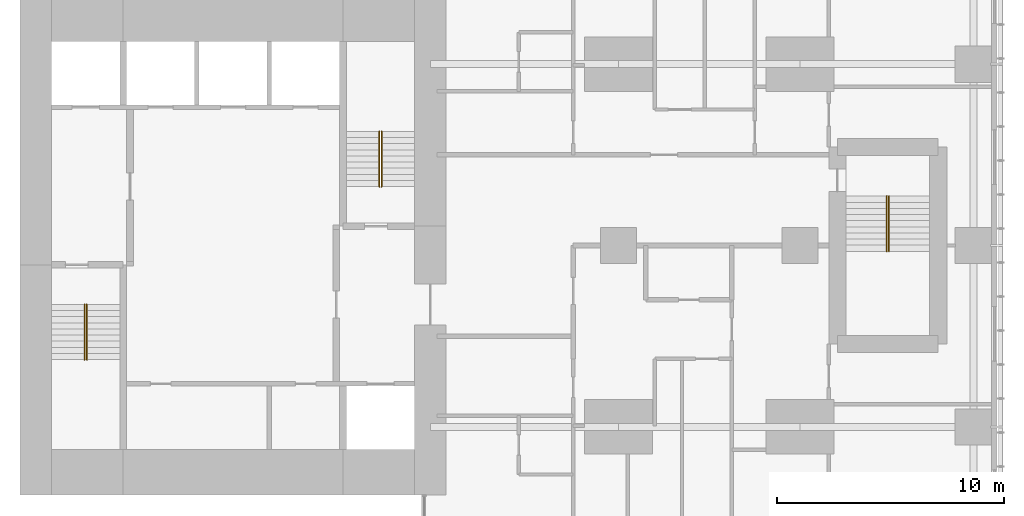
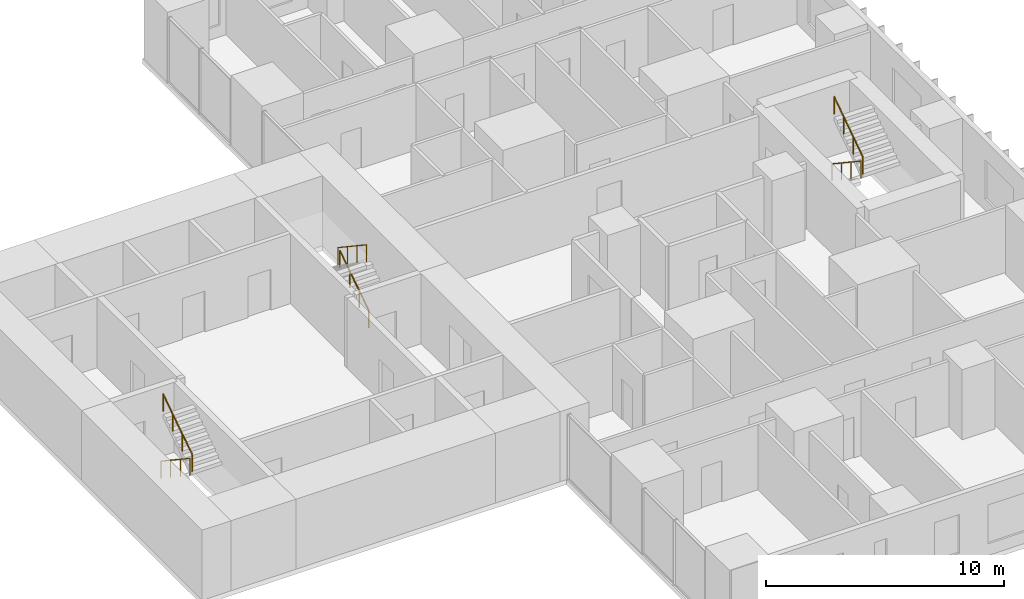
# One storey, part 12 of 12: 6 railings.
"""IFC4 building model written with IfcOpenShell, lengths in metres."""

from ifc_helpers import new_model, si_unit, direction, frame, origin, origin_2d, place, context, subcontext, project, spatial, circle, extrude, material, type_object, element, save


model = new_model("IFC4")

# Units and contexts
model_context = context("Model", 3, precision=1e-05, world=origin(), true_north=direction((0.0, 1.0)))
body_context = subcontext(model_context, "Body", "Model", "MODEL_VIEW")
ifc_project = project(units=[si_unit("LENGTHUNIT", "METRE"), si_unit("AREAUNIT", "SQUARE_METRE"), si_unit("VOLUMEUNIT", "CUBIC_METRE"), si_unit("PLANEANGLEUNIT", "RADIAN"), si_unit("MASSUNIT", "GRAM", prefix="KILO")], contexts=[model_context])

# Site, building, storey
site_placement = place(None, origin())
site = spatial("IfcSite", under=ifc_project, at=site_placement, CompositionType="ELEMENT")
building_placement = place(site_placement, origin())
building = spatial("IfcBuilding", under=site, at=building_placement, Name="Cleftline Residences", CompositionType="ELEMENT")
storey_placement = place(building_placement, frame((0.0, 0.0, 248.39990234375)))
storey = spatial("IfcBuildingStorey", under=building, at=storey_placement, Name="L65", CompositionType="ELEMENT", Elevation=248.39990234375)

# Railings
ifc_material = material(Name="Stainless steel", Category="steel")
railing_type = type_object("IfcRailingType", Name="HANDRAIL 900", PredefinedType="HANDRAIL", material=ifc_material)
railing_1_placement = place(storey_placement, frame((26.449951171875, 21.39990234375, 0.18017578125)))
element("IfcRailing", 1, at=railing_1_placement, inside=storey, type_object=railing_type, Name="Stair handrail", PredefinedType="HANDRAIL", context=body_context, shape_type="SweptSolid", body=[
    extrude(circle(Radius=0.02392578125, at=origin_2d()), frame((0.0, 0.0, 0.8759765625), z_axis=(0.0, -0.832063155534, 0.554680903946), x_axis=(1.0, 0.0, 0.0)), (0.0, 0.0, 1.0), 2.92041015625),
    extrude(circle(Radius=0.02099609375, at=origin_2d()), origin(), (0.0, 0.0, 1.0), 0.851806640625),
    extrude(circle(Radius=0.02099609375, at=origin_2d()), frame((0.0, -0.81005859375, 0.5400390625)), (0.0, 0.0, 1.0), 0.851806640625),
    extrude(circle(Radius=0.02099609375, at=origin_2d()), frame((0.0, -1.619873046875, 1.079833984375)), (0.0, 0.0, 1.0), 0.851806640625),
    extrude(circle(Radius=0.02099609375, at=origin_2d()), frame((0.0, -2.429931640625, 1.619873046875)), (0.0, 0.0, 1.0), 0.851806640625),
])
railing_2_placement = place(storey_placement, frame((26.550048828125, 18.969970703125, 1.97998046875)))
element("IfcRailing", 2, at=railing_2_placement, inside=storey, type_object=railing_type, Name="Stair handrail", PredefinedType="HANDRAIL", context=body_context, shape_type="SweptSolid", body=[
    extrude(circle(Radius=0.02392578125, at=origin_2d()), frame((0.0, 0.0, 0.8759765625), z_axis=(0.0, 0.832024571796, 0.554738778101), x_axis=(-1.0, 0.0, 0.0)), (0.0, 0.0, 1.0), 2.92041015625),
    extrude(circle(Radius=0.02099609375, at=origin_2d()), origin(), (0.0, 0.0, 1.0), 0.851806640625),
    extrude(circle(Radius=0.02099609375, at=origin_2d()), frame((0.0, 0.81005859375, 0.5400390625)), (0.0, 0.0, 1.0), 0.851806640625),
    extrude(circle(Radius=0.02099609375, at=origin_2d()), frame((0.0, 1.619873046875, 1.080078125)), (0.0, 0.0, 1.0), 0.851806640625),
    extrude(circle(Radius=0.02099609375, at=origin_2d()), frame((0.0, 2.429931640625, 1.6201171875)), (0.0, 0.0, 1.0), 0.851806640625),
])
railing_3_placement = place(storey_placement, frame((39.550048828125, 26.60009765625, 0.18017578125)))
element("IfcRailing", 3, at=railing_3_placement, inside=storey, type_object=railing_type, Name="Stair handrail", PredefinedType="HANDRAIL", context=body_context, shape_type="SweptSolid", body=[
    extrude(circle(Radius=0.02392578125, at=origin_2d()), frame((0.0, 0.0, 0.8759765625), z_axis=(0.0, 0.832063155534, 0.554680903946), x_axis=(-1.0, 0.0, 0.0)), (0.0, 0.0, 1.0), 2.92041015625),
    extrude(circle(Radius=0.02099609375, at=origin_2d()), origin(), (0.0, 0.0, 1.0), 0.851806640625),
    extrude(circle(Radius=0.02099609375, at=origin_2d()), frame((0.0, 0.81005859375, 0.5400390625)), (0.0, 0.0, 1.0), 0.851806640625),
    extrude(circle(Radius=0.02099609375, at=origin_2d()), frame((0.0, 1.619873046875, 1.079833984375)), (0.0, 0.0, 1.0), 0.851806640625),
    extrude(circle(Radius=0.02099609375, at=origin_2d()), frame((0.0, 2.429931640625, 1.619873046875)), (0.0, 0.0, 1.0), 0.851806640625),
])
railing_4_placement = place(storey_placement, frame((39.449951171875, 29.030029296875, 1.97998046875)))
element("IfcRailing", 4, at=railing_4_placement, inside=storey, type_object=railing_type, Name="Stair handrail", PredefinedType="HANDRAIL", context=body_context, shape_type="SweptSolid", body=[
    extrude(circle(Radius=0.02392578125, at=origin_2d()), frame((0.0, 0.0, 0.8759765625), z_axis=(0.0, -0.832024571796, 0.554738778101), x_axis=(1.0, 0.0, 0.0)), (0.0, 0.0, 1.0), 2.92041015625),
    extrude(circle(Radius=0.02099609375, at=origin_2d()), origin(), (0.0, 0.0, 1.0), 0.851806640625),
    extrude(circle(Radius=0.02099609375, at=origin_2d()), frame((0.0, -0.81005859375, 0.5400390625)), (0.0, 0.0, 1.0), 0.851806640625),
    extrude(circle(Radius=0.02099609375, at=origin_2d()), frame((0.0, -1.619873046875, 1.080078125)), (0.0, 0.0, 1.0), 0.851806640625),
    extrude(circle(Radius=0.02099609375, at=origin_2d()), frame((0.0, -2.429931640625, 1.6201171875)), (0.0, 0.0, 1.0), 0.851806640625),
])
railing_5_placement = place(storey_placement, frame((61.824951171875, 26.175048828125, 0.18017578125)))
element("IfcRailing", 5, at=railing_5_placement, inside=storey, type_object=railing_type, Name="Stair handrail", PredefinedType="HANDRAIL", context=body_context, shape_type="SweptSolid", body=[
    extrude(circle(Radius=0.02392578125, at=origin_2d()), frame((0.0, 0.0, 0.8759765625), z_axis=(0.0, -0.832063155534, 0.554680903946), x_axis=(1.0, 0.0, 0.0)), (0.0, 0.0, 1.0), 2.92041015625),
    extrude(circle(Radius=0.02099609375, at=origin_2d()), origin(), (0.0, 0.0, 1.0), 0.851806640625),
    extrude(circle(Radius=0.02099609375, at=origin_2d()), frame((0.0, -0.81005859375, 0.5400390625)), (0.0, 0.0, 1.0), 0.851806640625),
    extrude(circle(Radius=0.02099609375, at=origin_2d()), frame((0.0, -1.619873046875, 1.079833984375)), (0.0, 0.0, 1.0), 0.851806640625),
    extrude(circle(Radius=0.02099609375, at=origin_2d()), frame((0.0, -2.429931640625, 1.619873046875)), (0.0, 0.0, 1.0), 0.851806640625),
])
railing_6_placement = place(storey_placement, frame((61.925048828125, 23.7451171875, 1.97998046875)))
element("IfcRailing", 6, at=railing_6_placement, inside=storey, type_object=railing_type, Name="Stair handrail", PredefinedType="HANDRAIL", context=body_context, shape_type="SweptSolid", body=[
    extrude(circle(Radius=0.02392578125, at=origin_2d()), frame((0.0, 0.0, 0.8759765625), z_axis=(0.0, 0.832024571796, 0.554738778101), x_axis=(-1.0, 0.0, 0.0)), (0.0, 0.0, 1.0), 2.92041015625),
    extrude(circle(Radius=0.02099609375, at=origin_2d()), origin(), (0.0, 0.0, 1.0), 0.851806640625),
    extrude(circle(Radius=0.02099609375, at=origin_2d()), frame((0.0, 0.81005859375, 0.5400390625)), (0.0, 0.0, 1.0), 0.851806640625),
    extrude(circle(Radius=0.02099609375, at=origin_2d()), frame((0.0, 1.619873046875, 1.080078125)), (0.0, 0.0, 1.0), 0.851806640625),
    extrude(circle(Radius=0.02099609375, at=origin_2d()), frame((0.0, 2.429931640625, 1.6201171875)), (0.0, 0.0, 1.0), 0.851806640625),
])

save(model, "model.ifc")
